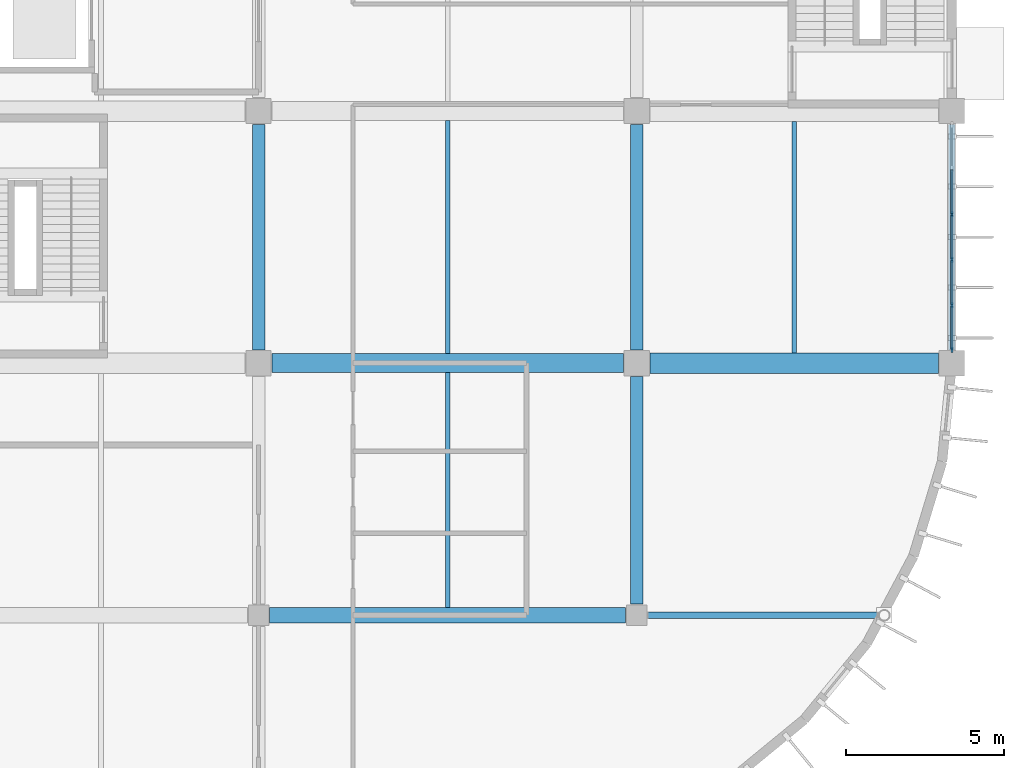
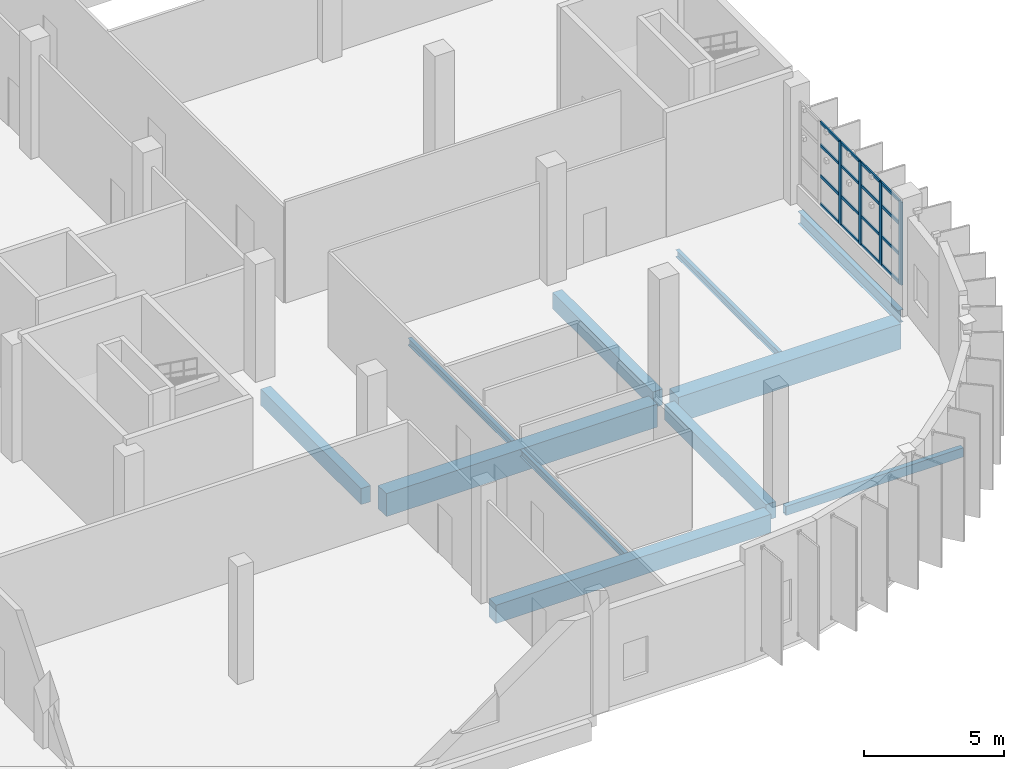
# One storey, part 43 of 103: 20 members, 11 beams, 1 element without a shape of its own.
"""IFC4 building model written with IfcOpenShell, lengths in metres."""

from ifc_helpers import new_model, si_unit, direction, frame, origin, origin_2d, place, context, subcontext, project, spatial, rectangle, hollow_rectangle, i_section, extrude, material, layer, layer_set, material_profile, profile_set, type_object, element, aggregate, save


model = new_model("IFC4")

# Units and contexts
model_context = context("Model", 3, precision=1e-05, world=origin(), true_north=direction((0.0, 1.0)))
body_context = subcontext(model_context, "Body", "Model", "MODEL_VIEW")
ifc_project = project(units=[si_unit("LENGTHUNIT", "METRE"), si_unit("AREAUNIT", "SQUARE_METRE"), si_unit("VOLUMEUNIT", "CUBIC_METRE"), si_unit("PLANEANGLEUNIT", "RADIAN"), si_unit("MASSUNIT", "GRAM", prefix="KILO")], contexts=[model_context])

# Site, building, storey
site_placement = place(None, origin())
site = spatial("IfcSite", under=ifc_project, at=site_placement, CompositionType="ELEMENT")
building_placement = place(site_placement, origin())
building = spatial("IfcBuilding", under=site, at=building_placement, Name="Drelvana Railside Aquatics Centre", CompositionType="ELEMENT")
storey_placement = place(building_placement, origin())
storey = spatial("IfcBuildingStorey", under=building, at=storey_placement, Name="L00", CompositionType="ELEMENT", Elevation=0.0)

# Curtain wall, members
ifc_material_1 = material(Name="Bronze-anodised aluminium curtain wall", Category="aluminium")
ifc_layer = layer(ifc_material_1, 0.175048828125, Name="Bronze-anodised aluminium curtain wall")
ifc_layer_set = layer_set([ifc_layer], Name="Bronze-anodised aluminium curtain wall")
curtain_wall_type = type_object("IfcCurtainWallType", Name="CW-Z6-WING", PredefinedType="NOTDEFINED", material=ifc_layer_set)
curtain_wall_placement = place(storey_placement, origin())
curtain_wall = element("IfcCurtainWall", 1, at=curtain_wall_placement, inside=storey, type_object=curtain_wall_type, Name="Curtain wall CW-06-166", PredefinedType="NOTDEFINED")
ifc_material_2 = material(Name="Bronze-anodised aluminium 6063-T6", Category="aluminium")
ifc_material_profile_1 = material_profile(ifc_material_2, rectangle(XDim=0.06494140625, YDim=0.175048828125, at=origin_2d()), Name="ALU-M 65x175")
ifc_profile_set_1 = profile_set([ifc_material_profile_1], Name="Bronze-anodised aluminium 6063-T6")
member_type_1 = type_object("IfcMemberType", Name="CW-Z6-WING-MUL", PredefinedType="MULLION", material=ifc_profile_set_1)
member_1_placement = place(storey_placement, frame((184.0, 24.426513671875, 0.7939453125), z_axis=(0.0, 0.0, 1.0), x_axis=(-1.0, 0.0, 0.0)))
member_1 = element("IfcMember", 2, at=member_1_placement, type_object=member_type_1, Name="CW-06 mullion 1", PredefinedType="MULLION", context=body_context, shape_type="SweptSolid", body=[
    extrude(rectangle(XDim=0.06494140625, YDim=0.175048828125, at=origin_2d()), origin(), (0.0, 0.0, 1.0), 3.60595703125),
])
member_2_placement = place(storey_placement, frame((184.0, 25.83642578125, 0.7939453125), z_axis=(0.0, 0.0, 1.0), x_axis=(-1.0, 0.0, 0.0)))
member_2 = element("IfcMember", 3, at=member_2_placement, type_object=member_type_1, Name="CW-06 mullion 2", PredefinedType="MULLION", context=body_context, shape_type="SweptSolid", body=[
    extrude(rectangle(XDim=0.06494140625, YDim=0.175048828125, at=origin_2d()), origin(), (0.0, 0.0, 1.0), 3.60595703125),
])
member_3_placement = place(storey_placement, frame((184.0, 27.27880859375, 0.7939453125), z_axis=(0.0, 0.0, 1.0), x_axis=(-1.0, 0.0, 0.0)))
member_3 = element("IfcMember", 4, at=member_3_placement, type_object=member_type_1, Name="CW-06 mullion 3", PredefinedType="MULLION", context=body_context, shape_type="SweptSolid", body=[
    extrude(rectangle(XDim=0.06494140625, YDim=0.175048828125, at=origin_2d()), origin(), (0.0, 0.0, 1.0), 3.60595703125),
])
member_4_placement = place(storey_placement, frame((184.0, 28.72119140625, 0.7939453125), z_axis=(0.0, 0.0, 1.0), x_axis=(-1.0, 0.0, 0.0)))
member_4 = element("IfcMember", 5, at=member_4_placement, type_object=member_type_1, Name="CW-06 mullion 4", PredefinedType="MULLION", context=body_context, shape_type="SweptSolid", body=[
    extrude(rectangle(XDim=0.06494140625, YDim=0.175048828125, at=origin_2d()), origin(), (0.0, 0.0, 1.0), 3.60595703125),
])
ifc_material_profile_2 = material_profile(ifc_material_2, rectangle(XDim=0.1201171875, YDim=0.06005859375, at=origin_2d()), Name="ALU-T 60x120")
ifc_profile_set_2 = profile_set([ifc_material_profile_2], Name="Bronze-anodised aluminium 6063-T6")
member_type_2 = type_object("IfcMemberType", Name="CW-Z6-WING-TRN", PredefinedType="USERDEFINED", material=ifc_profile_set_2)
member_5_placement = place(storey_placement, frame((184.0, 24.4541015625, 0.823974609375), z_axis=(0.0, 1.0, 0.0), x_axis=(0.0, 0.0, 1.0)))
member_5 = element("IfcMember", 6, at=member_5_placement, type_object=member_type_2, Name="CW-06 transom 1.1", ObjectType="TRANSOM", PredefinedType="USERDEFINED", context=body_context, shape_type="SweptSolid", body=[
    extrude(rectangle(XDim=0.1201171875, YDim=0.06005859375, at=origin_2d()), origin(), (0.0, 0.0, 1.0), 1.354736328125),
])
member_6_placement = place(storey_placement, frame((184.0, 24.4541015625, 2.055908203125), z_axis=(0.0, 1.0, 0.0), x_axis=(0.0, 0.0, 1.0)))
member_6 = element("IfcMember", 7, at=member_6_placement, type_object=member_type_2, Name="CW-06 transom 1.2", ObjectType="TRANSOM", PredefinedType="USERDEFINED", context=body_context, shape_type="SweptSolid", body=[
    extrude(rectangle(XDim=0.1201171875, YDim=0.06005859375, at=origin_2d()), origin(), (0.0, 0.0, 1.0), 1.354736328125),
])
member_7_placement = place(storey_placement, frame((184.0, 24.4541015625, 3.389892578125), z_axis=(0.0, 1.0, 0.0), x_axis=(0.0, 0.0, 1.0)))
member_7 = element("IfcMember", 8, at=member_7_placement, type_object=member_type_2, Name="CW-06 transom 1.3", ObjectType="TRANSOM", PredefinedType="USERDEFINED", context=body_context, shape_type="SweptSolid", body=[
    extrude(rectangle(XDim=0.1201171875, YDim=0.06005859375, at=origin_2d()), origin(), (0.0, 0.0, 1.0), 1.354736328125),
])
member_8_placement = place(storey_placement, frame((184.0, 24.4541015625, 4.3701171875), z_axis=(0.0, 1.0, 0.0), x_axis=(0.0, 0.0, 1.0)))
member_8 = element("IfcMember", 9, at=member_8_placement, type_object=member_type_2, Name="CW-06 transom 1.4", ObjectType="TRANSOM", PredefinedType="USERDEFINED", context=body_context, shape_type="SweptSolid", body=[
    extrude(rectangle(XDim=0.1201171875, YDim=0.06005859375, at=origin_2d()), origin(), (0.0, 0.0, 1.0), 1.354736328125),
])
member_9_placement = place(storey_placement, frame((184.0, 25.864013671875, 0.823974609375), z_axis=(0.0, 1.0, 0.0), x_axis=(0.0, 0.0, 1.0)))
member_9 = element("IfcMember", 10, at=member_9_placement, type_object=member_type_2, Name="CW-06 transom 2.1", ObjectType="TRANSOM", PredefinedType="USERDEFINED", context=body_context, shape_type="SweptSolid", body=[
    extrude(rectangle(XDim=0.1201171875, YDim=0.06005859375, at=origin_2d()), origin(), (0.0, 0.0, 1.0), 1.38720703125),
])
member_10_placement = place(storey_placement, frame((184.0, 25.864013671875, 2.055908203125), z_axis=(0.0, 1.0, 0.0), x_axis=(0.0, 0.0, 1.0)))
member_10 = element("IfcMember", 11, at=member_10_placement, type_object=member_type_2, Name="CW-06 transom 2.2", ObjectType="TRANSOM", PredefinedType="USERDEFINED", context=body_context, shape_type="SweptSolid", body=[
    extrude(rectangle(XDim=0.1201171875, YDim=0.06005859375, at=origin_2d()), origin(), (0.0, 0.0, 1.0), 1.38720703125),
])
member_11_placement = place(storey_placement, frame((184.0, 25.864013671875, 3.389892578125), z_axis=(0.0, 1.0, 0.0), x_axis=(0.0, 0.0, 1.0)))
member_11 = element("IfcMember", 12, at=member_11_placement, type_object=member_type_2, Name="CW-06 transom 2.3", ObjectType="TRANSOM", PredefinedType="USERDEFINED", context=body_context, shape_type="SweptSolid", body=[
    extrude(rectangle(XDim=0.1201171875, YDim=0.06005859375, at=origin_2d()), origin(), (0.0, 0.0, 1.0), 1.38720703125),
])
member_12_placement = place(storey_placement, frame((184.0, 25.864013671875, 4.3701171875), z_axis=(0.0, 1.0, 0.0), x_axis=(0.0, 0.0, 1.0)))
member_12 = element("IfcMember", 13, at=member_12_placement, type_object=member_type_2, Name="CW-06 transom 2.4", ObjectType="TRANSOM", PredefinedType="USERDEFINED", context=body_context, shape_type="SweptSolid", body=[
    extrude(rectangle(XDim=0.1201171875, YDim=0.06005859375, at=origin_2d()), origin(), (0.0, 0.0, 1.0), 1.38720703125),
])
member_13_placement = place(storey_placement, frame((184.0, 27.306396484375, 0.823974609375), z_axis=(0.0, 1.0, 0.0), x_axis=(0.0, 0.0, 1.0)))
member_13 = element("IfcMember", 14, at=member_13_placement, type_object=member_type_2, Name="CW-06 transom 3.1", ObjectType="TRANSOM", PredefinedType="USERDEFINED", context=body_context, shape_type="SweptSolid", body=[
    extrude(rectangle(XDim=0.1201171875, YDim=0.06005859375, at=origin_2d()), origin(), (0.0, 0.0, 1.0), 1.38720703125),
])
member_14_placement = place(storey_placement, frame((184.0, 27.306396484375, 2.055908203125), z_axis=(0.0, 1.0, 0.0), x_axis=(0.0, 0.0, 1.0)))
member_14 = element("IfcMember", 15, at=member_14_placement, type_object=member_type_2, Name="CW-06 transom 3.2", ObjectType="TRANSOM", PredefinedType="USERDEFINED", context=body_context, shape_type="SweptSolid", body=[
    extrude(rectangle(XDim=0.1201171875, YDim=0.06005859375, at=origin_2d()), origin(), (0.0, 0.0, 1.0), 1.38720703125),
])
member_15_placement = place(storey_placement, frame((184.0, 27.306396484375, 3.389892578125), z_axis=(0.0, 1.0, 0.0), x_axis=(0.0, 0.0, 1.0)))
member_15 = element("IfcMember", 16, at=member_15_placement, type_object=member_type_2, Name="CW-06 transom 3.3", ObjectType="TRANSOM", PredefinedType="USERDEFINED", context=body_context, shape_type="SweptSolid", body=[
    extrude(rectangle(XDim=0.1201171875, YDim=0.06005859375, at=origin_2d()), origin(), (0.0, 0.0, 1.0), 1.38720703125),
])
member_16_placement = place(storey_placement, frame((184.0, 27.306396484375, 4.3701171875), z_axis=(0.0, 1.0, 0.0), x_axis=(0.0, 0.0, 1.0)))
member_16 = element("IfcMember", 17, at=member_16_placement, type_object=member_type_2, Name="CW-06 transom 3.4", ObjectType="TRANSOM", PredefinedType="USERDEFINED", context=body_context, shape_type="SweptSolid", body=[
    extrude(rectangle(XDim=0.1201171875, YDim=0.06005859375, at=origin_2d()), origin(), (0.0, 0.0, 1.0), 1.38720703125),
])
member_17_placement = place(storey_placement, frame((184.0, 28.748779296875, 0.823974609375), z_axis=(0.0, 1.0, 0.0), x_axis=(0.0, 0.0, 1.0)))
member_17 = element("IfcMember", 18, at=member_17_placement, type_object=member_type_2, Name="CW-06 transom 4.1", ObjectType="TRANSOM", PredefinedType="USERDEFINED", context=body_context, shape_type="SweptSolid", body=[
    extrude(rectangle(XDim=0.1201171875, YDim=0.06005859375, at=origin_2d()), origin(), (0.0, 0.0, 1.0), 1.38720703125),
])
member_18_placement = place(storey_placement, frame((184.0, 28.748779296875, 2.055908203125), z_axis=(0.0, 1.0, 0.0), x_axis=(0.0, 0.0, 1.0)))
member_18 = element("IfcMember", 19, at=member_18_placement, type_object=member_type_2, Name="CW-06 transom 4.2", ObjectType="TRANSOM", PredefinedType="USERDEFINED", context=body_context, shape_type="SweptSolid", body=[
    extrude(rectangle(XDim=0.1201171875, YDim=0.06005859375, at=origin_2d()), origin(), (0.0, 0.0, 1.0), 1.38720703125),
])
member_19_placement = place(storey_placement, frame((184.0, 28.748779296875, 3.389892578125), z_axis=(0.0, 1.0, 0.0), x_axis=(0.0, 0.0, 1.0)))
member_19 = element("IfcMember", 20, at=member_19_placement, type_object=member_type_2, Name="CW-06 transom 4.3", ObjectType="TRANSOM", PredefinedType="USERDEFINED", context=body_context, shape_type="SweptSolid", body=[
    extrude(rectangle(XDim=0.1201171875, YDim=0.06005859375, at=origin_2d()), origin(), (0.0, 0.0, 1.0), 1.38720703125),
])
member_20_placement = place(storey_placement, frame((184.0, 28.748779296875, 4.3701171875), z_axis=(0.0, 1.0, 0.0), x_axis=(0.0, 0.0, 1.0)))
member_20 = element("IfcMember", 21, at=member_20_placement, type_object=member_type_2, Name="CW-06 transom 4.4", ObjectType="TRANSOM", PredefinedType="USERDEFINED", context=body_context, shape_type="SweptSolid", body=[
    extrude(rectangle(XDim=0.1201171875, YDim=0.06005859375, at=origin_2d()), origin(), (0.0, 0.0, 1.0), 1.38720703125),
])
aggregate(curtain_wall, [member_1, member_2, member_3, member_4, member_5, member_6, member_7, member_8, member_9, member_10, member_11, member_12, member_13, member_14, member_15, member_16, member_17, member_18, member_19, member_20])

# Beams
ifc_material_3 = material(Name="Concrete C40/50", Category="concrete")
ifc_material_profile_3 = material_profile(ifc_material_3, rectangle(XDim=0.39990234375, YDim=0.699951171875, at=origin_2d()), Name="RC 400x700")
ifc_profile_set_3 = profile_set([ifc_material_profile_3], Name="Concrete C40/50")
beam_type_1 = type_object("IfcBeamType", Name="STR-BM-BM-03-RC-400x700", PredefinedType="BEAM", material=ifc_profile_set_3)
beam_1_placement = place(storey_placement, frame((162.0, 24.425048828125, -0.679931640625), z_axis=(0.0, 1.0, 0.0), x_axis=(-1.0, 0.0, 0.0)))
element("IfcBeam", 22, at=beam_1_placement, inside=storey, type_object=beam_type_1, Name="Girder BM-03 (L00)", PredefinedType="BEAM", context=body_context, shape_type="SweptSolid", body=[
    extrude(rectangle(XDim=0.39990234375, YDim=0.699951171875, at=origin_2d()), origin(), (0.0, 0.0, 1.0), 7.14990234375),
])
beam_2_placement = place(storey_placement, frame((174.0, 16.35009765625, -0.679931640625), z_axis=(0.0, 1.0, 0.0), x_axis=(-1.0, 0.0, 0.0)))
element("IfcBeam", 23, at=beam_2_placement, inside=storey, type_object=beam_type_1, Name="Girder BM-03 (L00)", PredefinedType="BEAM", context=body_context, shape_type="SweptSolid", body=[
    extrude(rectangle(XDim=0.39990234375, YDim=0.699951171875, at=origin_2d()), origin(), (0.0, 0.0, 1.0), 7.224853515625),
])
beam_3_placement = place(storey_placement, frame((174.0, 24.425048828125, -0.679931640625), z_axis=(0.0, 1.0, 0.0), x_axis=(-1.0, 0.0, 0.0)))
element("IfcBeam", 24, at=beam_3_placement, inside=storey, type_object=beam_type_1, Name="Girder BM-03 (L00)", PredefinedType="BEAM", context=body_context, shape_type="SweptSolid", body=[
    extrude(rectangle(XDim=0.39990234375, YDim=0.699951171875, at=origin_2d()), origin(), (0.0, 0.0, 1.0), 7.14990234375),
])
ifc_material_profile_4 = material_profile(ifc_material_3, rectangle(XDim=0.5, YDim=0.800048828125, at=origin_2d()), Name="RC 500x800")
ifc_profile_set_4 = profile_set([ifc_material_profile_4], Name="Concrete C40/50")
beam_type_2 = type_object("IfcBeamType", Name="STR-BM-BM-06-RC-500x800", PredefinedType="SPANDREL", material=ifc_profile_set_4)
beam_4_placement = place(storey_placement, frame((162.35009765625, 16.0, -0.72998046875), z_axis=(1.0, 0.0, 0.0), x_axis=(0.0, 1.0, 0.0)))
element("IfcBeam", 25, at=beam_4_placement, inside=storey, type_object=beam_type_2, Name="Girder BM-06 (L00)", PredefinedType="SPANDREL", context=body_context, shape_type="SweptSolid", body=[
    extrude(rectangle(XDim=0.5, YDim=0.800048828125, at=origin_2d()), origin(), (0.0, 0.0, 1.0), 11.2998046875),
])
ifc_material_profile_5 = material_profile(ifc_material_3, rectangle(XDim=0.60009765625, YDim=1.0, at=origin_2d()), Name="RC 600x1000")
ifc_profile_set_5 = profile_set([ifc_material_profile_5], Name="Concrete C40/50")
beam_type_3 = type_object("IfcBeamType", Name="STR-BM-BM-09-RC-600x1000", PredefinedType="BEAM", material=ifc_profile_set_5)
beam_5_placement = place(storey_placement, frame((162.425048828125, 24.0, -0.830078125), z_axis=(1.0, 0.0, 0.0), x_axis=(0.0, 1.0, 0.0)))
element("IfcBeam", 26, at=beam_5_placement, inside=storey, type_object=beam_type_3, Name="Girder BM-09 (L00)", PredefinedType="BEAM", context=body_context, shape_type="SweptSolid", body=[
    extrude(rectangle(XDim=0.60009765625, YDim=1.0, at=origin_2d()), origin(), (0.0, 0.0, 1.0), 11.14990234375),
])
ifc_material_profile_6 = material_profile(ifc_material_3, rectangle(XDim=0.64990234375, YDim=1.10009765625, at=origin_2d()), Name="RC 650x1100")
ifc_profile_set_6 = profile_set([ifc_material_profile_6], Name="Concrete C40/50")
beam_type_4 = type_object("IfcBeamType", Name="STR-BM-BM-10-RC-650x1100", PredefinedType="BEAM", material=ifc_profile_set_6)
beam_6_placement = place(storey_placement, frame((174.425048828125, 24.0, -0.8798828125), z_axis=(1.0, 0.0, 0.0), x_axis=(0.0, 1.0, 0.0)))
element("IfcBeam", 27, at=beam_6_placement, inside=storey, type_object=beam_type_4, Name="Girder BM-10 (L00)", PredefinedType="BEAM", context=body_context, shape_type="SweptSolid", body=[
    extrude(rectangle(XDim=0.64990234375, YDim=1.10009765625, at=origin_2d()), origin(), (0.0, 0.0, 1.0), 9.14990234375),
])
ifc_material_4 = material(Name="Structural steel S355", Category="steel")
ifc_material_profile_7 = material_profile(ifc_material_4, i_section(OverallWidth=0.2099609375, OverallDepth=0.550048828125, WebThickness=0.010986328125, FlangeThickness=0.01708984375, at=origin_2d()), Name="IPE 550")
ifc_profile_set_7 = profile_set([ifc_material_profile_7], Name="Structural steel S355")
beam_type_5 = type_object("IfcBeamType", Name="STR-SBM-SB-04-IPE-550", PredefinedType="SPANDREL", material=ifc_profile_set_7)
beam_7_placement = place(storey_placement, frame((184.0, 24.425048828125, -0.60498046875), z_axis=(0.0, 1.0, 0.0), x_axis=(-1.0, 0.0, 0.0)))
element("IfcBeam", 28, at=beam_7_placement, inside=storey, type_object=beam_type_5, Name="Girder SB-04 (L00)", PredefinedType="SPANDREL", context=body_context, shape_type="SweptSolid", body=[
    extrude(i_section(OverallWidth=0.2099609375, OverallDepth=0.550048828125, WebThickness=0.010986328125, FlangeThickness=0.01708984375, at=origin_2d()), origin(), (0.0, 0.0, 1.0), 7.14990234375),
])
ifc_material_profile_8 = material_profile(ifc_material_4, i_section(OverallWidth=0.14990234375, OverallDepth=0.300048828125, WebThickness=0.007080078125, FlangeThickness=0.0107421875, at=origin_2d()), Name="IPE 300")
ifc_profile_set_8 = profile_set([ifc_material_profile_8], Name="Structural steel S355")
beam_type_6 = type_object("IfcBeamType", Name="STR-SBM-SJ-03-IPE-300", PredefinedType="JOIST", material=ifc_profile_set_8)
beam_8_placement = place(storey_placement, frame((168.0, 16.25, -0.47998046875), z_axis=(0.0, 1.0, 0.0), x_axis=(-1.0, 0.0, 0.0)))
element("IfcBeam", 29, at=beam_8_placement, inside=storey, type_object=beam_type_6, Name="Secondary floor joist SJ-03 (L00)", PredefinedType="JOIST", context=body_context, shape_type="SweptSolid", body=[
    extrude(i_section(OverallWidth=0.14990234375, OverallDepth=0.300048828125, WebThickness=0.007080078125, FlangeThickness=0.0107421875, at=origin_2d()), origin(), (0.0, 0.0, 1.0), 7.449951171875),
])
beam_9_placement = place(storey_placement, frame((168.0, 24.300048828125, -0.47998046875), z_axis=(0.0, 1.0, 0.0), x_axis=(-1.0, 0.0, 0.0)))
element("IfcBeam", 30, at=beam_9_placement, inside=storey, type_object=beam_type_6, Name="Secondary floor joist SJ-03 (L00)", PredefinedType="JOIST", context=body_context, shape_type="SweptSolid", body=[
    extrude(i_section(OverallWidth=0.14990234375, OverallDepth=0.300048828125, WebThickness=0.007080078125, FlangeThickness=0.0107421875, at=origin_2d()), origin(), (0.0, 0.0, 1.0), 7.39990234375),
])
beam_10_placement = place(storey_placement, frame((179.0, 24.324951171875, -0.47998046875), z_axis=(0.0, 1.0, 0.0), x_axis=(-1.0, 0.0, 0.0)))
element("IfcBeam", 31, at=beam_10_placement, inside=storey, type_object=beam_type_6, Name="Secondary floor joist SJ-03 (L00)", PredefinedType="JOIST", context=body_context, shape_type="SweptSolid", body=[
    extrude(i_section(OverallWidth=0.14990234375, OverallDepth=0.300048828125, WebThickness=0.007080078125, FlangeThickness=0.0107421875, at=origin_2d()), origin(), (0.0, 0.0, 1.0), 7.35009765625),
])
ifc_material_profile_9 = material_profile(ifc_material_4, hollow_rectangle(XDim=0.199951171875, YDim=0.39990234375, WallThickness=0.012451171875, at=origin_2d()), Name="RHS 400x200x12.5")
ifc_profile_set_9 = profile_set([ifc_material_profile_9], Name="Structural steel S355")
beam_type_7 = type_object("IfcBeamType", Name="STR-SBM-SP-01-RHS-400x200x12.5", PredefinedType="SPANDREL", material=ifc_profile_set_9)
beam_11_placement = place(storey_placement, frame((174.35009765625, 16.0, -0.530029296875), z_axis=(1.0, 0.0, 0.0), x_axis=(0.0, 1.0, 0.0)))
element("IfcBeam", 32, at=beam_11_placement, inside=storey, type_object=beam_type_7, Name="Girder SP-01 (L00)", PredefinedType="SPANDREL", context=body_context, shape_type="SweptSolid", body=[
    extrude(hollow_rectangle(XDim=0.199951171875, YDim=0.39990234375, WallThickness=0.012451171875, at=origin_2d()), origin(), (0.0, 0.0, 1.0), 7.306640625),
])

save(model, "model.ifc")
